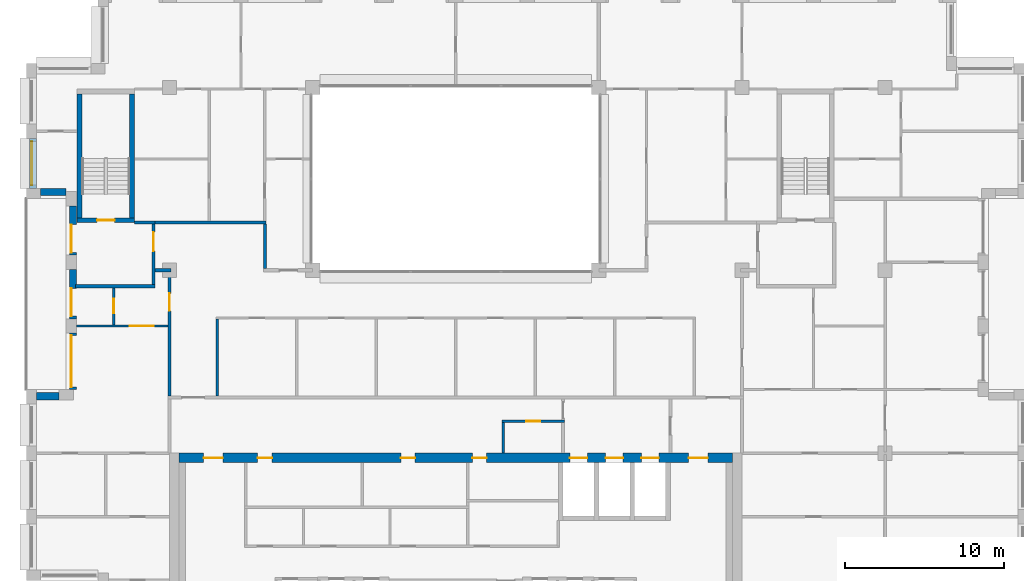
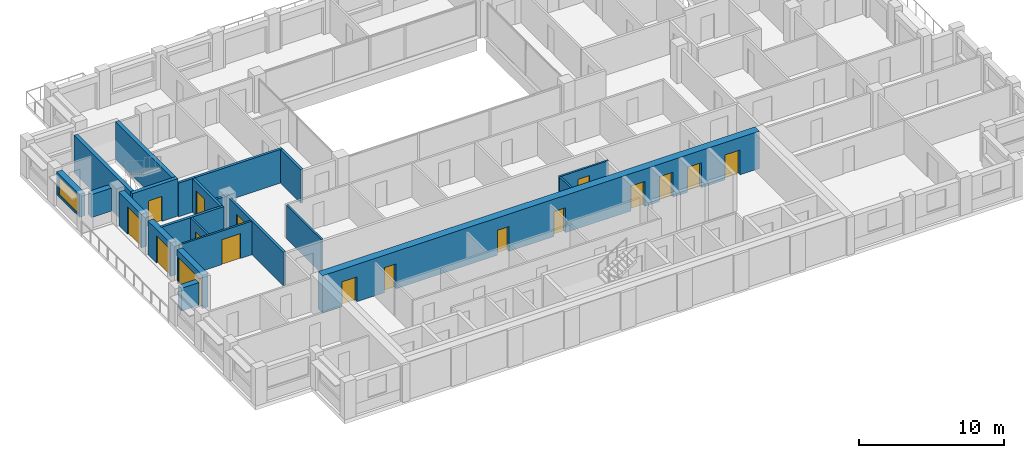
# One storey, part 9 of 15: 22 walls, 17 doors, 1 window, 18 openings.
"""IFC4 building model written with IfcOpenShell, lengths in metres."""

import ifcopenshell
import ifcopenshell.guid

model = None  # the IFC model being written
_history = None  # IfcOwnerHistory: only IFC2X3 demands one
_inside = {}  # id of a spatial element -> (the spatial element, [elements in it])
_under = {}  # id of a project, library or spatial element -> (it, [spatial elements below it])
_declared = {}  # id of a project -> (the project, [libraries it declares])
_typed = {}  # id of a type object -> (the type object, [elements of that type])
_made_of = {}  # id of a material, layer set ... -> (it, [elements and type objects made of it])


def new_model(schema):
    """Start an empty IFC model of exactly this schema.

    Asked for "IFC4X3", IfcOpenShell would pick the latest addendum, in which some entities
    have other attributes; the version numbers below select the first issue.
    IFC2X3 requires an IfcOwnerHistory on every rooted entity: one is made here for all.
    """
    global model, _history
    if schema == "IFC4X3":
        model = ifcopenshell.file(schema_version=(4, 3, 0, 0))
    else:
        model = ifcopenshell.file(schema=schema)
    _inside.clear()
    _under.clear()
    _declared.clear()
    _typed.clear()
    _made_of.clear()
    _history = None
    if model.schema == "IFC2X3":
        org = make("IfcOrganization", Name="unknown")
        user = make(
            "IfcPersonAndOrganization",
            ThePerson=make("IfcPerson", FamilyName="unknown"),
            TheOrganization=org,
        )
        app = make(
            "IfcApplication",
            ApplicationDeveloper=org,
            Version="unknown",
            ApplicationFullName="unknown",
            ApplicationIdentifier="unknown",
        )
        _history = make(
            "IfcOwnerHistory",
            OwningUser=user,
            OwningApplication=app,
            ChangeAction="ADDED",
            CreationDate=0,
        )
    return model


def make(cls, **values):
    """One entity of the class cls with the attributes given. An attribute that is None is left unset."""
    return model.create_entity(
        cls, **{name: value for name, value in values.items() if value is not None}
    )


def rooted(cls, **values):
    """An entity with a GlobalId (a new one), such as an element, a storey or a relation."""
    return make(cls, GlobalId=ifcopenshell.guid.new(), OwnerHistory=_history, **values)


def si_unit(unit_type, name, prefix=None):
    """IfcSIUnit, for example si_unit("LENGTHUNIT", "METRE", prefix="MILLI")."""
    return make("IfcSIUnit", UnitType=unit_type, Prefix=prefix, Name=name)


def assignment(units):
    """IfcUnitAssignment: the units of a project."""
    return None if units is None else make("IfcUnitAssignment", Units=units)


def point(xyz):
    """IfcCartesianPoint."""
    return None if xyz is None else make("IfcCartesianPoint", Coordinates=xyz)


def direction(xyz):
    """IfcDirection."""
    return None if xyz is None else make("IfcDirection", DirectionRatios=xyz)


def frame(location, z_axis=None, x_axis=None):
    """IfcAxis2Placement3D, a coordinate frame: its origin and axes. An axis left out is left unset."""
    return make(
        "IfcAxis2Placement3D",
        Location=point(location),
        Axis=direction(z_axis),
        RefDirection=direction(x_axis),
    )


def frame_2d(location, x_axis=None):
    """IfcAxis2Placement2D, a coordinate frame in the plane: its origin and x axis."""
    return make(
        "IfcAxis2Placement2D", Location=point(location), RefDirection=direction(x_axis)
    )


def origin():
    """The frame at (0, 0, 0) with its axes left unset."""
    return frame((0.0, 0.0, 0.0))


def place(relative_to, where):
    """IfcLocalPlacement: puts the frame where relative to a parent placement (None: the world)."""
    return make(
        "IfcLocalPlacement", PlacementRelTo=relative_to, RelativePlacement=where
    )


def context(
    kind, dimensions, precision=None, world=None, true_north=None, identifier=None
):
    """IfcGeometricRepresentationContext, for example the 3D "Model" context."""
    return make(
        "IfcGeometricRepresentationContext",
        ContextIdentifier=identifier,
        ContextType=kind,
        CoordinateSpaceDimension=dimensions,
        Precision=precision,
        WorldCoordinateSystem=world,
        TrueNorth=true_north,
    )


def subcontext(parent, identifier, kind, view, scale=None):
    """IfcGeometricRepresentationSubContext, for example "Body" below "Model"."""
    return make(
        "IfcGeometricRepresentationSubContext",
        ContextIdentifier=identifier,
        ContextType=kind,
        ParentContext=parent,
        TargetScale=scale,
        TargetView=view,
    )


def project(units=None, contexts=None):
    """IfcProject with its units and contexts."""
    return rooted(
        "IfcProject",
        Name="project",
        RepresentationContexts=contexts,
        UnitsInContext=assignment(units),
    )


def spatial(cls, under=None, at=None, **own):
    """A site, building, storey or space (cls), placed at a placement, below another one or the project."""
    s = rooted(cls, ObjectPlacement=at, **own)
    if under is not None:
        _under.setdefault(under.id(), (under, []))[1].append(s)
    return s


def profile(cls, at=None, kind="AREA", **sizes):
    """A parametric profile (cls). Its sizes go by their IFC names, for example OverallWidth=200.0."""
    return make(cls, ProfileType=kind, Position=at, **sizes)


def rectangle(**sizes):
    """IfcRectangleProfileDef."""
    return profile("IfcRectangleProfileDef", **sizes)


def extrude(swept, where, along, depth):
    """IfcExtrudedAreaSolid: the profile swept, set in the frame where, extruded along a direction by depth."""
    return make(
        "IfcExtrudedAreaSolid",
        SweptArea=swept,
        Position=where,
        ExtrudedDirection=direction(along),
        Depth=depth,
    )


def shape(context_of_items, identifier, shape_type, items):
    """IfcShapeRepresentation: the items that make up one representation, for example the "Body"."""
    return make(
        "IfcShapeRepresentation",
        ContextOfItems=context_of_items,
        RepresentationIdentifier=identifier,
        RepresentationType=shape_type,
        Items=items,
    )


def material(Name=None, Category=None):
    """IfcMaterial."""
    return make("IfcMaterial", Name=Name, Category=Category)


def layer(
    of_material, thickness, ventilated=None, Name=None, Category=None, Priority=None
):
    """IfcMaterialLayer: one layer of a wall or slab, of a material (None: an air gap)."""
    return make(
        "IfcMaterialLayer",
        Material=of_material,
        LayerThickness=thickness,
        IsVentilated=ventilated,
        Name=Name,
        Category=Category,
        Priority=Priority,
    )


def layer_set(layers, Name=None):
    """IfcMaterialLayerSet."""
    return make("IfcMaterialLayerSet", MaterialLayers=layers, LayerSetName=Name)


def made_of(thing, what):
    """Note that an element or type object is made of a material, layer set ...; save() writes the relation."""
    if what is not None:
        _made_of.setdefault(what.id(), (what, []))[1].append(thing)
    return thing


def type_object(cls, material=None, **own):
    """A type object (cls), such as IfcWallType, which elements share."""
    return made_of(rooted(cls, **own), material)


def element(
    cls,
    number,
    at=None,
    inside=None,
    cuts=None,
    type_object=None,
    material=None,
    context=None,
    identifier="Body",
    shape_type=None,
    held_by="IfcProductDefinitionShape",
    body=None,
    shapes=None,
    **own,
):
    """One element of the class cls, such as IfcWall. Its Tag is "e" and its number.

    at: its placement. inside: the storey or other place that contains it. cuts: it is an
    opening in that element (IfcRelVoidsElement). A single representation is given by context,
    identifier, shape_type and body (its items); several are given by shapes. held_by: the class
    of the entity that holds the representations. save() writes the other relations.
    """
    e = rooted(cls, Tag="e%d" % number, ObjectPlacement=at, **own)
    if body is not None:
        shapes = [shape(context, identifier, shape_type, body)]
    if shapes is not None:
        e.Representation = make(held_by, Representations=shapes)
    if inside is not None:
        _inside.setdefault(inside.id(), (inside, []))[1].append(e)
    if cuts is not None:
        rooted(
            "IfcRelVoidsElement", RelatingBuildingElement=cuts, RelatedOpeningElement=e
        )
    if type_object is not None:
        _typed.setdefault(type_object.id(), (type_object, []))[1].append(e)
    return made_of(e, material)


def fill(opening, filler):
    """IfcRelFillsElement: the door or window that sits in an opening."""
    return rooted(
        "IfcRelFillsElement",
        RelatingOpeningElement=opening,
        RelatedBuildingElement=filler,
    )


def aggregate(whole, parts):
    """IfcRelAggregates: a whole, such as a stair, and the parts it consists of."""
    return rooted("IfcRelAggregates", RelatingObject=whole, RelatedObjects=parts)


def save(model, path):
    """Write the relations noted so far, then the file.

    IfcRelAggregates (storeys below a building ...), IfcRelContainedInSpatialStructure (elements
    in a storey), IfcRelDefinesByType, IfcRelAssociatesMaterial and IfcRelDeclares: one each for
    every whole, place, type object, material and project.
    """
    for whole, parts in _under.values():
        aggregate(whole, parts)
    for where, things in _inside.values():
        rooted(
            "IfcRelContainedInSpatialStructure",
            RelatedElements=things,
            RelatingStructure=where,
        )
    for kind, things in _typed.values():
        rooted("IfcRelDefinesByType", RelatedObjects=things, RelatingType=kind)
    for what, things in _made_of.values():
        rooted("IfcRelAssociatesMaterial", RelatedObjects=things, RelatingMaterial=what)
    for by, libraries in _declared.values():
        rooted("IfcRelDeclares", RelatingContext=by, RelatedDefinitions=libraries)
    model.write(path)


model = new_model("IFC4")

# Units and contexts
model_context = context("Model", 3, precision=1e-05, world=origin(), true_north=direction((0.0, 1.0)))
body_context = subcontext(model_context, "Body", "Model", "MODEL_VIEW")
ifc_project = project(units=[si_unit("LENGTHUNIT", "METRE"), si_unit("AREAUNIT", "SQUARE_METRE"), si_unit("VOLUMEUNIT", "CUBIC_METRE"), si_unit("PLANEANGLEUNIT", "RADIAN"), si_unit("MASSUNIT", "GRAM", prefix="KILO")], contexts=[model_context])

# Site, building, storey
site_placement = place(None, origin())
site = spatial("IfcSite", under=ifc_project, at=site_placement, CompositionType="ELEMENT")
building_placement = place(site_placement, origin())
building = spatial("IfcBuilding", under=site, at=building_placement, Name="Brigalow Station Residences", CompositionType="ELEMENT")
storey_placement = place(building_placement, frame((0.0, 0.0, 210.60009765625)))
storey = spatial("IfcBuildingStorey", under=building, at=storey_placement, Name="L60", CompositionType="ELEMENT", Elevation=210.60009765625)

# Wall, opening, window
ifc_material_1 = material(Name="Clay brick masonry", Category="masonry")
ifc_layer_1 = layer(ifc_material_1, 0.449951171875)
ifc_layer_set_1 = layer_set([ifc_layer_1], Name="BRICK INFILL WALL 450")
wall_type_1 = type_object("IfcWallType", Name="BRICK INFILL WALL 450", PredefinedType="SOLIDWALL", material=ifc_layer_set_1)
wall_1_placement = place(storey_placement, frame((9.425048828125, 32.300048828125, 0.89990234375), z_axis=(0.0, 0.0, 1.0), x_axis=(0.0, -1.0, 0.0)))
wall_1 = element("IfcWall", 1, at=wall_1_placement, inside=storey, type_object=wall_type_1, Name="L60/ewall/W-L60-35", PredefinedType="SOLIDWALL", context=body_context, shape_type="SweptSolid", body=[
    extrude(rectangle(XDim=3.150146484375, YDim=0.449951171875, at=frame_2d((1.5751953125, 0.0))), origin(), (0.0, 0.0, 1.0), 1.929931640625),
])
opening_1_placement = place(wall_1_placement, frame((0.199951171875, 0.0, 0.14990234375)))
opening_1 = element("IfcOpeningElement", 2, at=opening_1_placement, cuts=wall_1, Name="Opening WT-3", PredefinedType="OPENING", context=body_context, shape_type="SweptSolid", body=[
    extrude(rectangle(XDim=2.75, YDim=1.5, at=frame_2d((1.375, 0.75))), frame((0.0, 0.23486328125, 0.0), z_axis=(0.0, -1.0, 0.0), x_axis=(1.0, 0.0, 0.0)), (0.0, 0.0, 1.0), 0.469970703125),
])
ifc_material_2 = material(Name="Anodised aluminium frame with double glazing", Category="aluminium")
window_type = type_object("IfcWindowType", Name="WINDOW 2750x1500", PartitioningType="SINGLE_PANEL", PredefinedType="WINDOW", material=ifc_material_2)
window_placement = place(opening_1_placement, origin())
window = element("IfcWindow", 3, at=window_placement, inside=storey, type_object=window_type, Name="L60/window/W-L60-35", OverallHeight=1.5, OverallWidth=2.75, PartitioningType="SINGLE_PANEL", PredefinedType="WINDOW", context=body_context, shape_type="SweptSolid", body=[
    extrude(rectangle(XDim=2.75, YDim=1.5, at=frame_2d((1.375, 0.75))), frame((0.0, -0.06494140625, 0.0), z_axis=(0.0, -1.0, 0.0), x_axis=(1.0, 0.0, 0.0)), (0.0, 0.0, 1.0), 0.06005859375),
])
fill(opening_1, window)

# Wall
wall_2_placement = place(storey_placement, frame((9.89990234375, 28.925048828125, 0.89990234375), z_axis=(0.0, 0.0, 1.0), x_axis=(1.0, 0.0, 0.0)))
element("IfcWall", 4, at=wall_2_placement, inside=storey, type_object=wall_type_1, Name="L60/ewall/W-L60-36", PredefinedType="SOLIDWALL", context=body_context, shape_type="SweptSolid", body=[
    extrude(rectangle(XDim=1.60009765625, YDim=0.449951171875, at=frame_2d((0.800048828125, 0.0))), origin(), (0.0, 0.0, 1.0), 1.929931640625),
])

# Wall, opening, door
wall_3_placement = place(storey_placement, frame((11.925048828125, 28.050048828125, 0.0), z_axis=(0.0, 0.0, 1.0), x_axis=(0.0, -1.0, 0.0)))
wall_3 = element("IfcWall", 5, at=wall_3_placement, inside=storey, type_object=wall_type_1, Name="L60/ewall/W-L60-37", PredefinedType="SOLIDWALL", context=body_context, shape_type="SweptSolid", body=[
    extrude(rectangle(XDim=3.10009765625, YDim=0.449951171875, at=frame_2d((1.550048828125, 0.0))), origin(), (0.0, 0.0, 1.0), 2.829833984375),
])
opening_2_placement = place(wall_3_placement, frame((1.18505859375, 0.0, 0.0)))
opening_2 = element("IfcOpeningElement", 6, at=opening_2_placement, cuts=wall_3, Name="Opening D-B1750", PredefinedType="OPENING", context=body_context, shape_type="SweptSolid", body=[
    extrude(rectangle(XDim=1.75, YDim=2.300048828125, at=frame_2d((0.875, 1.14990234375))), frame((0.0, 0.23486328125, 0.0), z_axis=(0.0, -1.0, 0.0), x_axis=(1.0, 0.0, 0.0)), (0.0, 0.0, 1.0), 0.469970703125),
])
ifc_material_3 = material(Name="Anodised aluminium frame with double glazing", Category="aluminium")
door_type_1 = type_object("IfcDoorType", Name="BALCONY SLIDING DOOR 1750x2300", OperationType="SLIDING_TO_LEFT", PredefinedType="DOOR", material=ifc_material_3)
door_1_placement = place(opening_2_placement, frame((1.75, -0.18994140625, 0.0), z_axis=(0.0, 0.0, 1.0), x_axis=(-1.0, 0.0, 0.0)))
door_1 = element("IfcDoor", 7, at=door_1_placement, inside=storey, type_object=door_type_1, Name="L60/balcony-door/W-L60-37", OperationType="SLIDING_TO_LEFT", OverallHeight=2.300048828125, OverallWidth=1.75, PredefinedType="DOOR", context=body_context, shape_type="SweptSolid", body=[
    extrude(rectangle(XDim=1.75, YDim=2.300048828125, at=frame_2d((0.875, 1.14990234375))), frame((0.0, -0.06982421875, 0.0), z_axis=(0.0, -1.0, 0.0), x_axis=(1.0, 0.0, 0.0)), (0.0, 0.0, 1.0), 0.050048828125),
])
fill(opening_2, door_1)

wall_4_placement = place(storey_placement, frame((11.925048828125, 24.050048828125, 0.0), z_axis=(0.0, 0.0, 1.0), x_axis=(0.0, -1.0, 0.0)))
wall_4 = element("IfcWall", 8, at=wall_4_placement, inside=storey, type_object=wall_type_1, Name="L60/ewall/W-L60-38", PredefinedType="SOLIDWALL", context=body_context, shape_type="SweptSolid", body=[
    extrude(rectangle(XDim=3.10009765625, YDim=0.449951171875, at=frame_2d((1.550048828125, 0.0))), origin(), (0.0, 0.0, 1.0), 2.829833984375),
])
opening_3_placement = place(wall_4_placement, frame((1.18505859375, 0.0, 0.0)))
opening_3 = element("IfcOpeningElement", 9, at=opening_3_placement, cuts=wall_4, Name="Opening D-B1750", PredefinedType="OPENING", context=body_context, shape_type="SweptSolid", body=[
    extrude(rectangle(XDim=1.75, YDim=2.300048828125, at=frame_2d((0.875, 1.14990234375))), frame((0.0, 0.23486328125, 0.0), z_axis=(0.0, -1.0, 0.0), x_axis=(1.0, 0.0, 0.0)), (0.0, 0.0, 1.0), 0.469970703125),
])
door_2_placement = place(opening_3_placement, origin())
door_2 = element("IfcDoor", 10, at=door_2_placement, inside=storey, type_object=door_type_1, Name="L60/balcony-door/W-L60-38", OperationType="SLIDING_TO_LEFT", OverallHeight=2.300048828125, OverallWidth=1.75, PredefinedType="DOOR", context=body_context, shape_type="SweptSolid", body=[
    extrude(rectangle(XDim=1.75, YDim=2.300048828125, at=frame_2d((0.875, 1.14990234375))), frame((0.0, -0.06982421875, 0.0), z_axis=(0.0, -1.0, 0.0), x_axis=(1.0, 0.0, 0.0)), (0.0, 0.0, 1.0), 0.050048828125),
])
fill(opening_3, door_2)

wall_5_placement = place(storey_placement, frame((11.925048828125, 20.050048828125, 0.0), z_axis=(0.0, 0.0, 1.0), x_axis=(0.0, -1.0, 0.0)))
wall_5 = element("IfcWall", 11, at=wall_5_placement, inside=storey, type_object=wall_type_1, Name="L60/ewall/W-L60-39", PredefinedType="SOLIDWALL", context=body_context, shape_type="SweptSolid", body=[
    extrude(rectangle(XDim=3.550048828125, YDim=0.449951171875, at=frame_2d((1.77490234375, 0.0))), origin(), (0.0, 0.0, 1.0), 2.829833984375),
])
opening_4_placement = place(wall_5_placement, frame((0.14990234375, 0.0, 0.0)))
opening_4 = element("IfcOpeningElement", 12, at=opening_4_placement, cuts=wall_5, Name="Opening D-B3250", PredefinedType="OPENING", context=body_context, shape_type="SweptSolid", body=[
    extrude(rectangle(XDim=3.25, YDim=2.300048828125, at=frame_2d((1.625, 1.14990234375))), frame((0.0, 0.23486328125, 0.0), z_axis=(0.0, -1.0, 0.0), x_axis=(1.0, 0.0, 0.0)), (0.0, 0.0, 1.0), 0.469970703125),
])
ifc_material_4 = material(Name="Anodised aluminium frame with double glazing", Category="aluminium")
door_type_2 = type_object("IfcDoorType", Name="BALCONY SLIDING DOOR 3250x2300", OperationType="SLIDING_TO_LEFT", PredefinedType="DOOR", material=ifc_material_4)
door_3_placement = place(opening_4_placement, origin())
door_3 = element("IfcDoor", 13, at=door_3_placement, inside=storey, type_object=door_type_2, Name="L60/balcony-door/W-L60-39", OperationType="SLIDING_TO_LEFT", OverallHeight=2.300048828125, OverallWidth=3.25, PredefinedType="DOOR", context=body_context, shape_type="SweptSolid", body=[
    extrude(rectangle(XDim=3.25, YDim=2.300048828125, at=frame_2d((1.625, 1.14990234375))), frame((0.0, -0.06982421875, 0.0), z_axis=(0.0, -1.0, 0.0), x_axis=(1.0, 0.0, 0.0)), (0.0, 0.0, 1.0), 0.050048828125),
])
fill(opening_4, door_3)

# Wall
wall_6_placement = place(storey_placement, frame((11.050048828125, 16.074951171875, 0.89990234375), z_axis=(0.0, 0.0, 1.0), x_axis=(-1.0, 0.0, 0.0)))
element("IfcWall", 14, at=wall_6_placement, inside=storey, type_object=wall_type_1, Name="L60/ewall/W-L60-40", PredefinedType="SOLIDWALL", context=body_context, shape_type="SweptSolid", body=[
    extrude(rectangle(XDim=1.400146484375, YDim=0.449951171875, at=frame_2d((0.7001953125, 0.0))), origin(), (0.0, 0.0, 1.0), 1.929931640625),
])

# Wall, opening, door
ifc_material_5 = material(Name="Concrete C50", Category="concrete")
ifc_layer_2 = layer(ifc_material_5, 0.300048828125)
ifc_layer_set_2 = layer_set([ifc_layer_2], Name="CORE SHEAR WALL 300 C50")
wall_type_2 = type_object("IfcWallType", Name="CORE SHEAR WALL 300 C50", PredefinedType="SHEAR", material=ifc_layer_set_2)
wall_7_placement = place(storey_placement, frame((12.199951171875, 27.14990234375, 0.0), z_axis=(0.0, 0.0, 1.0), x_axis=(1.0, 0.0, 0.0)))
wall_7 = element("IfcWall", 15, at=wall_7_placement, inside=storey, type_object=wall_type_2, Name="CORE WALL ST-S1-S L60", PredefinedType="SHEAR", context=body_context, shape_type="SweptSolid", body=[
    extrude(rectangle(XDim=3.60009765625, YDim=0.300048828125, at=frame_2d((1.800048828125, 0.0))), origin(), (0.0, 0.0, 1.0), 3.14990234375),
])
opening_5_placement = place(wall_7_placement, frame((1.25, 0.0, 0.0)))
opening_5 = element("IfcOpeningElement", 16, at=opening_5_placement, cuts=wall_7, Name="Opening D-5015", PredefinedType="OPENING", context=body_context, shape_type="SweptSolid", body=[
    extrude(rectangle(XDim=1.10009765625, YDim=2.10009765625, at=frame_2d((0.550048828125, 1.050048828125))), frame((0.0, 0.16015625, 0.0), z_axis=(0.0, -1.0, 0.0), x_axis=(1.0, 0.0, 0.0)), (0.0, 0.0, 1.0), 0.320068359375),
])
ifc_material_6 = material(Name="Steel fire door leaf in steel frame", Category="steel")
door_type_3 = type_object("IfcDoorType", Name="STAIR DOOR 1100 x 2100 FD60S", OperationType="SINGLE_SWING_LEFT", PredefinedType="DOOR", material=ifc_material_6)
door_4_placement = place(opening_5_placement, origin())
door_4 = element("IfcDoor", 17, at=door_4_placement, inside=storey, type_object=door_type_3, Name="D-5015", OperationType="SINGLE_SWING_LEFT", OverallHeight=2.10009765625, OverallWidth=1.10009765625, PredefinedType="DOOR", context=body_context, shape_type="SweptSolid", body=[
    extrude(rectangle(XDim=1.10009765625, YDim=2.10009765625, at=frame_2d((0.550048828125, 1.050048828125))), frame((0.0, 0.02490234375, 0.0), z_axis=(0.0, -1.0, 0.0), x_axis=(1.0, 0.0, 0.0)), (0.0, 0.0, 1.0), 0.050048828125),
])
fill(opening_5, door_4)

# Walls
for number, where, z_axis, x_axis, name in (
    (18, (12.35009765625, 27.300048828125, 0.0), (0.0, 0.0, 1.0), (0.0, 1.0, 0.0), "CORE WALL ST-S1-W L60"),
    (19, (15.64990234375, 27.300048828125, 0.0), (0.0, 0.0, 1.0), (0.0, 1.0, 0.0), "CORE WALL ST-S1-E L60"),
):
    element("IfcWall", number, at=place(storey_placement, frame(where, z_axis=z_axis, x_axis=x_axis)), inside=storey, type_object=wall_type_2, Name=name, PredefinedType="SHEAR", context=body_context, shape_type="SweptSolid", body=[
        extrude(rectangle(XDim=7.800048828125, YDim=0.300048828125, at=frame_2d((3.89990234375, 0.0))), origin(), (0.0, 0.0, 1.0), 3.14990234375),
    ])

# Wall, openings, doors
ifc_material_7 = material(Name="Concrete C50", Category="concrete")
ifc_layer_3 = layer(ifc_material_7, 0.60009765625)
ifc_layer_set_3 = layer_set([ifc_layer_3], Name="CORE SHEAR WALL 600 C50")
wall_type_3 = type_object("IfcWallType", Name="CORE SHEAR WALL 600 C50", PredefinedType="SHEAR", material=ifc_layer_set_3)
wall_8_placement = place(storey_placement, frame((18.60009765625, 12.199951171875, 0.0), z_axis=(0.0, 0.0, 1.0), x_axis=(1.0, 0.0, 0.0)))
wall_8 = element("IfcWall", 20, at=wall_8_placement, inside=storey, type_object=wall_type_3, Name="CORE WALL OUT-N L60", PredefinedType="SHEAR", context=body_context, shape_type="SweptSolid", body=[
    extrude(rectangle(XDim=34.7998046875, YDim=0.60009765625, at=frame_2d((17.39990234375, 0.0))), origin(), (0.0, 0.0, 1.0), 3.14990234375),
])
opening_6_placement = place(wall_8_placement, frame((24.574951171875, 0.0, 0.0)))
opening_6 = element("IfcOpeningElement", 21, at=opening_6_placement, cuts=wall_8, Name="Opening LD-LF1", PredefinedType="OPENING", context=body_context, shape_type="SweptSolid", body=[
    extrude(rectangle(XDim=1.10009765625, YDim=2.10009765625, at=frame_2d((0.550048828125, 1.050048828125))), frame((0.0, 0.31005859375, 0.0), z_axis=(0.0, -1.0, 0.0), x_axis=(1.0, 0.0, 0.0)), (0.0, 0.0, 1.0), 0.6201171875),
])
opening_7_placement = place(wall_8_placement, frame((26.824951171875, 0.0, 0.0)))
opening_7 = element("IfcOpeningElement", 22, at=opening_7_placement, cuts=wall_8, Name="Opening LD-LF2", PredefinedType="OPENING", context=body_context, shape_type="SweptSolid", body=[
    extrude(rectangle(XDim=1.10009765625, YDim=2.10009765625, at=frame_2d((0.550048828125, 1.050048828125))), frame((0.0, 0.31005859375, 0.0), z_axis=(0.0, -1.0, 0.0), x_axis=(1.0, 0.0, 0.0)), (0.0, 0.0, 1.0), 0.6201171875),
])
opening_8_placement = place(wall_8_placement, frame((29.074951171875, 0.0, 0.0)))
opening_8 = element("IfcOpeningElement", 23, at=opening_8_placement, cuts=wall_8, Name="Opening LD-LG1", PredefinedType="OPENING", context=body_context, shape_type="SweptSolid", body=[
    extrude(rectangle(XDim=1.10009765625, YDim=2.10009765625, at=frame_2d((0.550048828125, 1.050048828125))), frame((0.0, 0.31005859375, 0.0), z_axis=(0.0, -1.0, 0.0), x_axis=(1.0, 0.0, 0.0)), (0.0, 0.0, 1.0), 0.6201171875),
])
opening_9_placement = place(wall_8_placement, frame((4.949951171875, 0.0, 0.0)))
opening_9 = element("IfcOpeningElement", 24, at=opening_9_placement, cuts=wall_8, Name="Opening D-5118", PredefinedType="OPENING", context=body_context, shape_type="SweptSolid", body=[
    extrude(rectangle(XDim=0.89990234375, YDim=2.10009765625, at=frame_2d((0.449951171875, 1.050048828125))), frame((0.0, 0.31005859375, 0.0), z_axis=(0.0, -1.0, 0.0), x_axis=(1.0, 0.0, 0.0)), (0.0, 0.0, 1.0), 0.6201171875),
])
opening_10_placement = place(wall_8_placement, frame((13.949951171875, 0.0, 0.0)))
opening_10 = element("IfcOpeningElement", 25, at=opening_10_placement, cuts=wall_8, Name="Opening D-5120", PredefinedType="OPENING", context=body_context, shape_type="SweptSolid", body=[
    extrude(rectangle(XDim=0.89990234375, YDim=2.10009765625, at=frame_2d((0.449951171875, 1.050048828125))), frame((0.0, 0.31005859375, 0.0), z_axis=(0.0, -1.0, 0.0), x_axis=(1.0, 0.0, 0.0)), (0.0, 0.0, 1.0), 0.6201171875),
])
opening_11_placement = place(wall_8_placement, frame((18.449951171875, 0.0, 0.0)))
opening_11 = element("IfcOpeningElement", 26, at=opening_11_placement, cuts=wall_8, Name="Opening D-5119", PredefinedType="OPENING", context=body_context, shape_type="SweptSolid", body=[
    extrude(rectangle(XDim=0.89990234375, YDim=2.10009765625, at=frame_2d((0.449951171875, 1.050048828125))), frame((0.0, 0.31005859375, 0.0), z_axis=(0.0, -1.0, 0.0), x_axis=(1.0, 0.0, 0.0)), (0.0, 0.0, 1.0), 0.6201171875),
])
opening_12_placement = place(wall_8_placement, frame((1.550048828125, 0.0, 0.0)))
opening_12 = element("IfcOpeningElement", 27, at=opening_12_placement, cuts=wall_8, Name="Opening D-5011", PredefinedType="OPENING", context=body_context, shape_type="SweptSolid", body=[
    extrude(rectangle(XDim=1.199951171875, YDim=2.10009765625, at=frame_2d((0.60009765625, 1.050048828125))), frame((0.0, 0.31005859375, 0.0), z_axis=(0.0, -1.0, 0.0), x_axis=(1.0, 0.0, 0.0)), (0.0, 0.0, 1.0), 0.6201171875),
])
opening_13_placement = place(wall_8_placement, frame((32.050048828125, 0.0, 0.0)))
opening_13 = element("IfcOpeningElement", 28, at=opening_13_placement, cuts=wall_8, Name="Opening D-5012", PredefinedType="OPENING", context=body_context, shape_type="SweptSolid", body=[
    extrude(rectangle(XDim=1.199951171875, YDim=2.10009765625, at=frame_2d((0.60009765625, 1.050048828125))), frame((0.0, 0.31005859375, 0.0), z_axis=(0.0, -1.0, 0.0), x_axis=(1.0, 0.0, 0.0)), (0.0, 0.0, 1.0), 0.6201171875),
])
ifc_material_8 = material(Name="Steel fire door leaf in steel frame", Category="steel")
door_type_4 = type_object("IfcDoorType", Name="CORE CORRIDOR DOOR 1200 x 2100 FD60S", OperationType="SINGLE_SWING_LEFT", PredefinedType="DOOR", material=ifc_material_8)
door_5_placement = place(opening_12_placement, frame((1.199951171875, 0.0, 0.0), z_axis=(0.0, 0.0, 1.0), x_axis=(-1.0, 0.0, 0.0)))
door_5 = element("IfcDoor", 29, at=door_5_placement, inside=storey, type_object=door_type_4, Name="D-5011", OperationType="SINGLE_SWING_LEFT", OverallHeight=2.10009765625, OverallWidth=1.199951171875, PredefinedType="DOOR", context=body_context, shape_type="SweptSolid", body=[
    extrude(rectangle(XDim=1.199951171875, YDim=2.10009765625, at=frame_2d((0.60009765625, 1.050048828125))), frame((0.0, 0.02490234375, 0.0), z_axis=(0.0, -1.0, 0.0), x_axis=(1.0, 0.0, 0.0)), (0.0, 0.0, 1.0), 0.050048828125),
])
fill(opening_12, door_5)
door_6_placement = place(opening_13_placement, frame((1.199951171875, 0.0, 0.0), z_axis=(0.0, 0.0, 1.0), x_axis=(-1.0, 0.0, 0.0)))
door_6 = element("IfcDoor", 30, at=door_6_placement, inside=storey, type_object=door_type_4, Name="D-5012", OperationType="SINGLE_SWING_RIGHT", OverallHeight=2.10009765625, OverallWidth=1.199951171875, PredefinedType="DOOR", context=body_context, shape_type="SweptSolid", body=[
    extrude(rectangle(XDim=1.199951171875, YDim=2.10009765625, at=frame_2d((0.60009765625, 1.050048828125))), frame((0.0, 0.02490234375, 0.0), z_axis=(0.0, -1.0, 0.0), x_axis=(1.0, 0.0, 0.0)), (0.0, 0.0, 1.0), 0.050048828125),
])
fill(opening_13, door_6)
ifc_material_9 = material(Name="Stainless steel sliding door leaves", Category="steel")
door_type_5 = type_object("IfcDoorType", Name="LIFT LANDING DOOR 1100 x 2100", OperationType="DOUBLE_DOOR_SLIDING", PredefinedType="DOOR", material=ifc_material_9)
door_7_placement = place(opening_6_placement, origin())
door_7 = element("IfcDoor", 31, at=door_7_placement, inside=storey, type_object=door_type_5, Name="LANDING DOOR LF1", OperationType="DOUBLE_DOOR_SLIDING", OverallHeight=2.10009765625, OverallWidth=1.10009765625, PredefinedType="DOOR", context=body_context, shape_type="SweptSolid", body=[
    extrude(rectangle(XDim=1.10009765625, YDim=2.10009765625, at=frame_2d((0.550048828125, 1.050048828125))), frame((0.0, 0.02490234375, 0.0), z_axis=(0.0, -1.0, 0.0), x_axis=(1.0, 0.0, 0.0)), (0.0, 0.0, 1.0), 0.050048828125),
])
fill(opening_6, door_7)
door_8_placement = place(opening_7_placement, origin())
door_8 = element("IfcDoor", 32, at=door_8_placement, inside=storey, type_object=door_type_5, Name="LANDING DOOR LF2", OperationType="DOUBLE_DOOR_SLIDING", OverallHeight=2.10009765625, OverallWidth=1.10009765625, PredefinedType="DOOR", context=body_context, shape_type="SweptSolid", body=[
    extrude(rectangle(XDim=1.10009765625, YDim=2.10009765625, at=frame_2d((0.550048828125, 1.050048828125))), frame((0.0, 0.02490234375, 0.0), z_axis=(0.0, -1.0, 0.0), x_axis=(1.0, 0.0, 0.0)), (0.0, 0.0, 1.0), 0.050048828125),
])
fill(opening_7, door_8)
door_9_placement = place(opening_8_placement, origin())
door_9 = element("IfcDoor", 33, at=door_9_placement, inside=storey, type_object=door_type_5, Name="LANDING DOOR LG1", OperationType="DOUBLE_DOOR_SLIDING", OverallHeight=2.10009765625, OverallWidth=1.10009765625, PredefinedType="DOOR", context=body_context, shape_type="SweptSolid", body=[
    extrude(rectangle(XDim=1.10009765625, YDim=2.10009765625, at=frame_2d((0.550048828125, 1.050048828125))), frame((0.0, 0.02490234375, 0.0), z_axis=(0.0, -1.0, 0.0), x_axis=(1.0, 0.0, 0.0)), (0.0, 0.0, 1.0), 0.050048828125),
])
fill(opening_8, door_9)
ifc_material_10 = material(Name="Steel door leaf in steel frame", Category="steel")
door_type_6 = type_object("IfcDoorType", Name="SERVICE ROOM DOOR 900 x 2100 FD60", OperationType="SINGLE_SWING_LEFT", PredefinedType="DOOR", material=ifc_material_10)
door_10_placement = place(opening_9_placement, frame((0.89990234375, 0.0, 0.0), z_axis=(0.0, 0.0, 1.0), x_axis=(-1.0, 0.0, 0.0)))
door_10 = element("IfcDoor", 34, at=door_10_placement, inside=storey, type_object=door_type_6, Name="D-5118", OperationType="SINGLE_SWING_RIGHT", OverallHeight=2.10009765625, OverallWidth=0.89990234375, PredefinedType="DOOR", context=body_context, shape_type="SweptSolid", body=[
    extrude(rectangle(XDim=0.89990234375, YDim=2.10009765625, at=frame_2d((0.449951171875, 1.050048828125))), frame((0.0, 0.02490234375, 0.0), z_axis=(0.0, -1.0, 0.0), x_axis=(1.0, 0.0, 0.0)), (0.0, 0.0, 1.0), 0.050048828125),
])
fill(opening_9, door_10)
door_11_placement = place(opening_10_placement, frame((0.89990234375, 0.0, 0.0), z_axis=(0.0, 0.0, 1.0), x_axis=(-1.0, 0.0, 0.0)))
door_11 = element("IfcDoor", 35, at=door_11_placement, inside=storey, type_object=door_type_6, Name="D-5120", OperationType="SINGLE_SWING_RIGHT", OverallHeight=2.10009765625, OverallWidth=0.89990234375, PredefinedType="DOOR", context=body_context, shape_type="SweptSolid", body=[
    extrude(rectangle(XDim=0.89990234375, YDim=2.10009765625, at=frame_2d((0.449951171875, 1.050048828125))), frame((0.0, 0.02490234375, 0.0), z_axis=(0.0, -1.0, 0.0), x_axis=(1.0, 0.0, 0.0)), (0.0, 0.0, 1.0), 0.050048828125),
])
fill(opening_10, door_11)
door_12_placement = place(opening_11_placement, frame((0.89990234375, 0.0, 0.0), z_axis=(0.0, 0.0, 1.0), x_axis=(-1.0, 0.0, 0.0)))
door_12 = element("IfcDoor", 36, at=door_12_placement, inside=storey, type_object=door_type_6, Name="D-5119", OperationType="SINGLE_SWING_RIGHT", OverallHeight=2.10009765625, OverallWidth=0.89990234375, PredefinedType="DOOR", context=body_context, shape_type="SweptSolid", body=[
    extrude(rectangle(XDim=0.89990234375, YDim=2.10009765625, at=frame_2d((0.449951171875, 1.050048828125))), frame((0.0, 0.02490234375, 0.0), z_axis=(0.0, -1.0, 0.0), x_axis=(1.0, 0.0, 0.0)), (0.0, 0.0, 1.0), 0.050048828125),
])
fill(opening_11, door_12)

# Walls
ifc_material_11 = material(Name="Concrete blockwork", Category="masonry")
ifc_layer_4 = layer(ifc_material_11, 0.199951171875)
ifc_layer_set_4 = layer_set([ifc_layer_4], Name="FIRE RATED CORE PARTITION 200")
wall_type_4 = type_object("IfcWallType", Name="FIRE RATED CORE PARTITION 200", PredefinedType="PARTITIONING", material=ifc_layer_set_4)
wall_9_placement = place(storey_placement, frame((12.10009765625, 23.0, 0.0), z_axis=(0.0, 0.0, 1.0), x_axis=(1.0, 0.0, 0.0)))
element("IfcWall", 37, at=wall_9_placement, inside=storey, type_object=wall_type_4, Name="PW-5023", PredefinedType="PARTITIONING", context=body_context, shape_type="SweptSolid", body=[
    extrude(rectangle(XDim=5.0, YDim=0.199951171875, at=frame_2d((2.5, 0.0))), origin(), (0.0, 0.0, 1.0), 2.829833984375),
])
wall_10_placement = place(storey_placement, frame((15.800048828125, 27.0, 0.0), z_axis=(0.0, 0.0, 1.0), x_axis=(1.0, 0.0, 0.0)))
element("IfcWall", 38, at=wall_10_placement, inside=storey, type_object=wall_type_4, Name="PW-5025", PredefinedType="PARTITIONING", context=body_context, shape_type="SweptSolid", body=[
    extrude(rectangle(XDim=1.300048828125, YDim=0.199951171875, at=frame_2d((0.64990234375, 0.0))), origin(), (0.0, 0.0, 1.0), 2.829833984375),
])

# Wall, opening, door
wall_11_placement = place(storey_placement, frame((17.0, 23.10009765625, 0.0), z_axis=(0.0, 0.0, 1.0), x_axis=(0.0, 1.0, 0.0)))
wall_11 = element("IfcWall", 39, at=wall_11_placement, inside=storey, type_object=wall_type_4, Name="PW-5035", PredefinedType="PARTITIONING", context=body_context, shape_type="SweptSolid", body=[
    extrude(rectangle(XDim=3.7998046875, YDim=0.199951171875, at=frame_2d((1.89990234375, 0.0))), origin(), (0.0, 0.0, 1.0), 2.829833984375),
])
opening_14_placement = place(wall_11_placement, frame((2.10009765625, 0.0, 0.0)))
opening_14 = element("IfcOpeningElement", 40, at=opening_14_placement, cuts=wall_11, Name="Opening D-5016", PredefinedType="OPENING", context=body_context, shape_type="SweptSolid", body=[
    extrude(rectangle(XDim=1.199951171875, YDim=2.10009765625, at=frame_2d((0.60009765625, 1.050048828125))), frame((0.0, 0.10986328125, 0.0), z_axis=(0.0, -1.0, 0.0), x_axis=(1.0, 0.0, 0.0)), (0.0, 0.0, 1.0), 0.219970703125),
])
ifc_material_12 = material(Name="Steel fire door leaf in steel frame", Category="steel")
door_type_7 = type_object("IfcDoorType", Name="STAIR LOBBY DOOR 1200 x 2100 FD60S", OperationType="SINGLE_SWING_LEFT", PredefinedType="DOOR", material=ifc_material_12)
door_13_placement = place(opening_14_placement, origin())
door_13 = element("IfcDoor", 41, at=door_13_placement, inside=storey, type_object=door_type_7, Name="D-5016", OperationType="SINGLE_SWING_RIGHT", OverallHeight=2.10009765625, OverallWidth=1.199951171875, PredefinedType="DOOR", context=body_context, shape_type="SweptSolid", body=[
    extrude(rectangle(XDim=1.199951171875, YDim=2.10009765625, at=frame_2d((0.60009765625, 1.050048828125))), frame((0.0, 0.02490234375, 0.0), z_axis=(0.0, -1.0, 0.0), x_axis=(1.0, 0.0, 0.0)), (0.0, 0.0, 1.0), 0.050048828125),
])
fill(opening_14, door_13)

ifc_material_13 = material(Name="Plasterboard on steel stud partition", Category="steel")
ifc_layer_5 = layer(ifc_material_13, 0.14990234375)
ifc_layer_set_5 = layer_set([ifc_layer_5], Name="FLAT PARTITION 150")
wall_type_5 = type_object("IfcWallType", Name="FLAT PARTITION 150", PredefinedType="PARTITIONING", material=ifc_layer_set_5)
wall_12_placement = place(storey_placement, frame((12.14990234375, 20.5, 0.0), z_axis=(0.0, 0.0, 1.0), x_axis=(1.0, 0.0, 0.0)))
wall_12 = element("IfcWall", 42, at=wall_12_placement, inside=storey, type_object=wall_type_5, Name="PW-4B08", PredefinedType="PARTITIONING", context=body_context, shape_type="SweptSolid", body=[
    extrude(rectangle(XDim=5.75, YDim=0.14990234375, at=frame_2d((2.875, 0.0))), origin(), (0.0, 0.0, 1.0), 2.829833984375),
])
opening_15_placement = place(wall_12_placement, frame((3.35009765625, 0.0, 0.0)))
opening_15 = element("IfcOpeningElement", 43, at=opening_15_placement, cuts=wall_12, Name="Opening D-4B05", PredefinedType="OPENING", context=body_context, shape_type="SweptSolid", body=[
    extrude(rectangle(XDim=1.5, YDim=2.10009765625, at=frame_2d((0.75, 1.050048828125))), frame((0.0, 0.0849609375, 0.0), z_axis=(0.0, -1.0, 0.0), x_axis=(1.0, 0.0, 0.0)), (0.0, 0.0, 1.0), 0.169921875),
])
ifc_material_14 = material(Name="Solid-core timber door leaf", Category="wood")
door_type_8 = type_object("IfcDoorType", Name="INTERNAL DOUBLE DOOR 1500 x 2100", OperationType="DOUBLE_DOOR_SINGLE_SWING", PredefinedType="DOOR", material=ifc_material_14)
door_14_placement = place(opening_15_placement, origin())
door_14 = element("IfcDoor", 44, at=door_14_placement, inside=storey, type_object=door_type_8, Name="D-4B05", OperationType="DOUBLE_DOOR_SINGLE_SWING", OverallHeight=2.10009765625, OverallWidth=1.5, PredefinedType="DOOR", context=body_context, shape_type="SweptSolid", body=[
    extrude(rectangle(XDim=1.5, YDim=2.10009765625, at=frame_2d((0.75, 1.050048828125))), frame((0.0, 0.02490234375, 0.0), z_axis=(0.0, -1.0, 0.0), x_axis=(1.0, 0.0, 0.0)), (0.0, 0.0, 1.0), 0.050048828125),
])
fill(opening_15, door_14)

# Wall
wall_13_placement = place(storey_placement, frame((21.0, 16.10009765625, 0.0), z_axis=(0.0, 0.0, 1.0), x_axis=(0.0, 1.0, 0.0)))
element("IfcWall", 45, at=wall_13_placement, inside=storey, type_object=wall_type_5, Name="PW-4B31", PredefinedType="PARTITIONING", context=body_context, shape_type="SweptSolid", body=[
    extrude(rectangle(XDim=4.824951171875, YDim=0.14990234375, at=frame_2d((2.41259765625, 0.0))), origin(), (0.0, 0.0, 1.0), 2.829833984375),
])

# Wall, opening, door
wall_14_placement = place(storey_placement, frame((14.5, 20.574951171875, 0.0), z_axis=(0.0, 0.0, 1.0), x_axis=(0.0, 1.0, 0.0)))
wall_14 = element("IfcWall", 46, at=wall_14_placement, inside=storey, type_object=wall_type_5, Name="PW-4B37", PredefinedType="PARTITIONING", context=body_context, shape_type="SweptSolid", body=[
    extrude(rectangle(XDim=2.324951171875, YDim=0.14990234375, at=frame_2d((1.16259765625, 0.0))), origin(), (0.0, 0.0, 1.0), 2.829833984375),
])
opening_16_placement = place(wall_14_placement, frame((0.72509765625, 0.0, 0.0)))
opening_16 = element("IfcOpeningElement", 47, at=opening_16_placement, cuts=wall_14, Name="Opening D-4B04", PredefinedType="OPENING", context=body_context, shape_type="SweptSolid", body=[
    extrude(rectangle(XDim=0.89990234375, YDim=2.10009765625, at=frame_2d((0.449951171875, 1.050048828125))), frame((0.0, 0.0849609375, 0.0), z_axis=(0.0, -1.0, 0.0), x_axis=(1.0, 0.0, 0.0)), (0.0, 0.0, 1.0), 0.169921875),
])
ifc_material_15 = material(Name="Solid-core timber door leaf", Category="wood")
door_type_9 = type_object("IfcDoorType", Name="INTERNAL DOOR 900 x 2100", OperationType="SINGLE_SWING_LEFT", PredefinedType="DOOR", material=ifc_material_15)
door_15_placement = place(opening_16_placement, origin())
door_15 = element("IfcDoor", 48, at=door_15_placement, inside=storey, type_object=door_type_9, Name="D-4B04", OperationType="SINGLE_SWING_RIGHT", OverallHeight=2.10009765625, OverallWidth=0.89990234375, PredefinedType="DOOR", context=body_context, shape_type="SweptSolid", body=[
    extrude(rectangle(XDim=0.89990234375, YDim=2.10009765625, at=frame_2d((0.449951171875, 1.050048828125))), frame((0.0, 0.02490234375, 0.0), z_axis=(0.0, -1.0, 0.0), x_axis=(1.0, 0.0, 0.0)), (0.0, 0.0, 1.0), 0.050048828125),
])
fill(opening_16, door_15)

# Walls
ifc_material_16 = material(Name="Plasterboard on steel stud partition", Category="steel")
ifc_layer_6 = layer(ifc_material_16, 0.199951171875)
ifc_layer_set_6 = layer_set([ifc_layer_6], Name="PARTY AND CORRIDOR WALL 200")
wall_type_6 = type_object("IfcWallType", Name="PARTY AND CORRIDOR WALL 200", PredefinedType="PARTITIONING", material=ifc_layer_set_6)
wall_15_placement = place(storey_placement, frame((17.10009765625, 24.0, 0.0), z_axis=(0.0, 0.0, 1.0), x_axis=(1.0, 0.0, 0.0)))
element("IfcWall", 49, at=wall_15_placement, inside=storey, type_object=wall_type_6, Name="PW-4B01", PredefinedType="PARTITIONING", context=body_context, shape_type="SweptSolid", body=[
    extrude(rectangle(XDim=1.0, YDim=0.199951171875, at=frame_2d((0.5, 0.0))), origin(), (0.0, 0.0, 1.0), 2.829833984375),
])
wall_16_placement = place(storey_placement, frame((17.10009765625, 27.0, 0.0), z_axis=(0.0, 0.0, 1.0), x_axis=(1.0, 0.0, 0.0)))
element("IfcWall", 50, at=wall_16_placement, inside=storey, type_object=wall_type_6, Name="PW-4B06", PredefinedType="PARTITIONING", context=body_context, shape_type="SweptSolid", body=[
    extrude(rectangle(XDim=6.974853515625, YDim=0.199951171875, at=frame_2d((3.4873046875, 0.0))), origin(), (0.0, 0.0, 1.0), 2.829833984375),
])

# Wall, opening, door
wall_17_placement = place(storey_placement, frame((18.0, 16.10009765625, 0.0), z_axis=(0.0, 0.0, 1.0), x_axis=(0.0, 1.0, 0.0)))
wall_17 = element("IfcWall", 51, at=wall_17_placement, inside=storey, type_object=wall_type_6, Name="PW-4B28", PredefinedType="PARTITIONING", context=body_context, shape_type="SweptSolid", body=[
    extrude(rectangle(XDim=7.7998046875, YDim=0.199951171875, at=frame_2d((3.89990234375, 0.0))), origin(), (0.0, 0.0, 1.0), 2.829833984375),
])
opening_17_placement = place(wall_17_placement, frame((5.35009765625, 0.0, 0.0)))
opening_17 = element("IfcOpeningElement", 52, at=opening_17_placement, cuts=wall_17, Name="Opening D-4B03", PredefinedType="OPENING", context=body_context, shape_type="SweptSolid", body=[
    extrude(rectangle(XDim=1.10009765625, YDim=2.10009765625, at=frame_2d((0.550048828125, 1.050048828125))), frame((0.0, 0.10986328125, 0.0), z_axis=(0.0, -1.0, 0.0), x_axis=(1.0, 0.0, 0.0)), (0.0, 0.0, 1.0), 0.219970703125),
])
ifc_material_17 = material(Name="Solid-core timber door leaf", Category="wood")
door_type_10 = type_object("IfcDoorType", Name="FLAT ENTRANCE DOOR 1100 x 2100 FRL -/60/30", OperationType="SINGLE_SWING_LEFT", PredefinedType="DOOR", material=ifc_material_17)
door_16_placement = place(opening_17_placement, origin())
door_16 = element("IfcDoor", 53, at=door_16_placement, inside=storey, type_object=door_type_10, Name="D-4B03", OperationType="SINGLE_SWING_LEFT", OverallHeight=2.10009765625, OverallWidth=1.10009765625, PredefinedType="DOOR", context=body_context, shape_type="SweptSolid", body=[
    extrude(rectangle(XDim=1.10009765625, YDim=2.10009765625, at=frame_2d((0.550048828125, 1.050048828125))), frame((0.0, 0.02490234375, 0.0), z_axis=(0.0, -1.0, 0.0), x_axis=(1.0, 0.0, 0.0)), (0.0, 0.0, 1.0), 0.050048828125),
])
fill(opening_17, door_16)

# Wall
wall_18_placement = place(storey_placement, frame((24.0, 24.10009765625, 0.0), z_axis=(0.0, 0.0, 1.0), x_axis=(0.0, 1.0, 0.0)))
element("IfcWall", 54, at=wall_18_placement, inside=storey, type_object=wall_type_6, Name="PW-4B34", PredefinedType="PARTITIONING", context=body_context, shape_type="SweptSolid", body=[
    extrude(rectangle(XDim=2.7998046875, YDim=0.199951171875, at=frame_2d((1.39990234375, 0.0))), origin(), (0.0, 0.0, 1.0), 2.829833984375),
])

# Wall, opening, door
ifc_material_18 = material(Name="Plasterboard on steel studs", Category="steel")
ifc_layer_7 = layer(ifc_material_18, 0.14990234375)
ifc_layer_set_7 = layer_set([ifc_layer_7], Name="SERVICE ROOM PARTITION 150")
wall_type_7 = type_object("IfcWallType", Name="SERVICE ROOM PARTITION 150", PredefinedType="PARTITIONING", material=ifc_layer_set_7)
wall_19_placement = place(storey_placement, frame((38.925048828125, 14.5, 0.0), z_axis=(0.0, 0.0, 1.0), x_axis=(1.0, 0.0, 0.0)))
wall_19 = element("IfcWall", 55, at=wall_19_placement, inside=storey, type_object=wall_type_7, Name="PW-5129", PredefinedType="PARTITIONING", context=body_context, shape_type="SweptSolid", body=[
    extrude(rectangle(XDim=3.925048828125, YDim=0.14990234375, at=frame_2d((1.96240234375, 0.0))), origin(), (0.0, 0.0, 1.0), 2.829833984375),
])
opening_18_placement = place(wall_19_placement, frame((1.5, 0.0, 0.0)))
opening_18 = element("IfcOpeningElement", 56, at=opening_18_placement, cuts=wall_19, Name="Opening D-5076", PredefinedType="OPENING", context=body_context, shape_type="SweptSolid", body=[
    extrude(rectangle(XDim=0.89990234375, YDim=2.10009765625, at=frame_2d((0.449951171875, 1.050048828125))), frame((0.0, 0.0849609375, 0.0), z_axis=(0.0, -1.0, 0.0), x_axis=(1.0, 0.0, 0.0)), (0.0, 0.0, 1.0), 0.169921875),
])
door_17_placement = place(opening_18_placement, frame((0.89990234375, 0.0, 0.0), z_axis=(0.0, 0.0, 1.0), x_axis=(-1.0, 0.0, 0.0)))
door_17 = element("IfcDoor", 57, at=door_17_placement, inside=storey, type_object=door_type_6, Name="D-5076", OperationType="SINGLE_SWING_LEFT", OverallHeight=2.10009765625, OverallWidth=0.89990234375, PredefinedType="DOOR", context=body_context, shape_type="SweptSolid", body=[
    extrude(rectangle(XDim=0.89990234375, YDim=2.10009765625, at=frame_2d((0.449951171875, 1.050048828125))), frame((0.0, 0.02490234375, 0.0), z_axis=(0.0, -1.0, 0.0), x_axis=(1.0, 0.0, 0.0)), (0.0, 0.0, 1.0), 0.050048828125),
])
fill(opening_18, door_17)

# Wall
wall_20_placement = place(storey_placement, frame((39.0, 12.5, 0.0), z_axis=(0.0, 0.0, 1.0), x_axis=(0.0, 1.0, 0.0)))
element("IfcWall", 58, at=wall_20_placement, inside=storey, type_object=wall_type_7, Name="PW-5136", PredefinedType="PARTITIONING", context=body_context, shape_type="SweptSolid", body=[
    extrude(rectangle(XDim=1.925048828125, YDim=0.14990234375, at=frame_2d((0.96240234375, 0.0))), origin(), (0.0, 0.0, 1.0), 2.829833984375),
])

save(model, "model.ifc")
